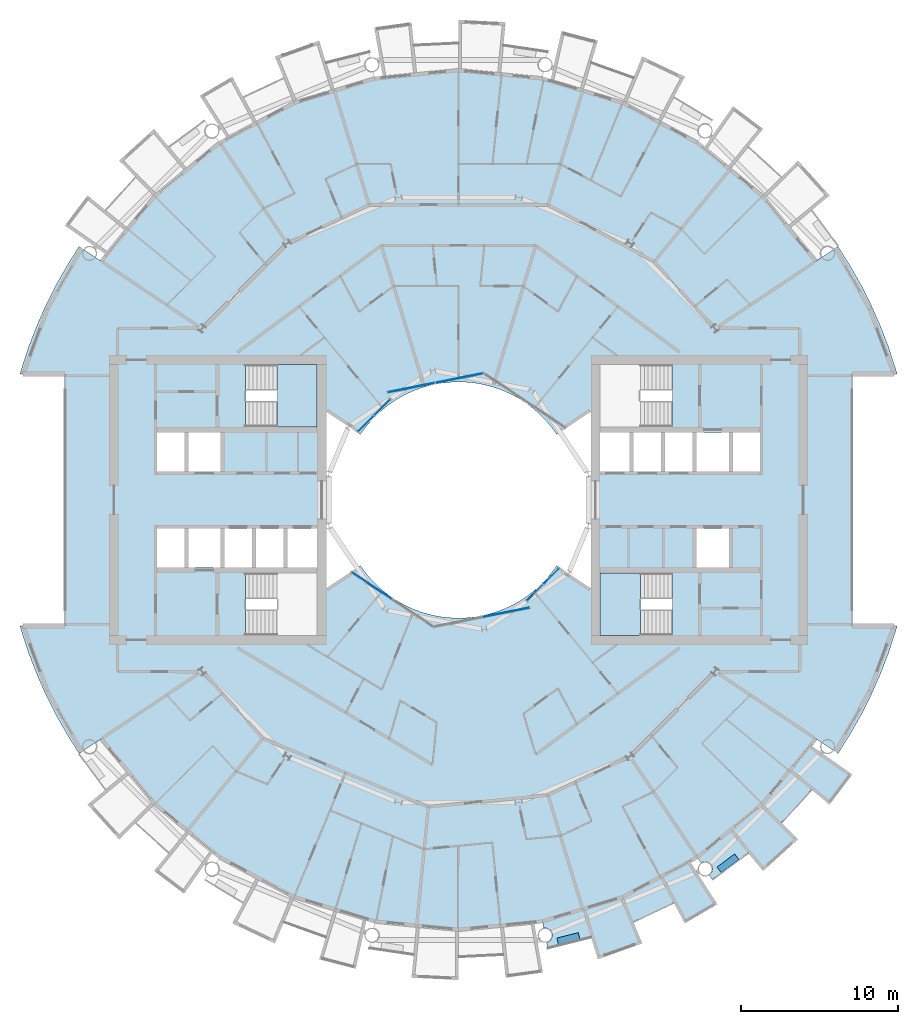
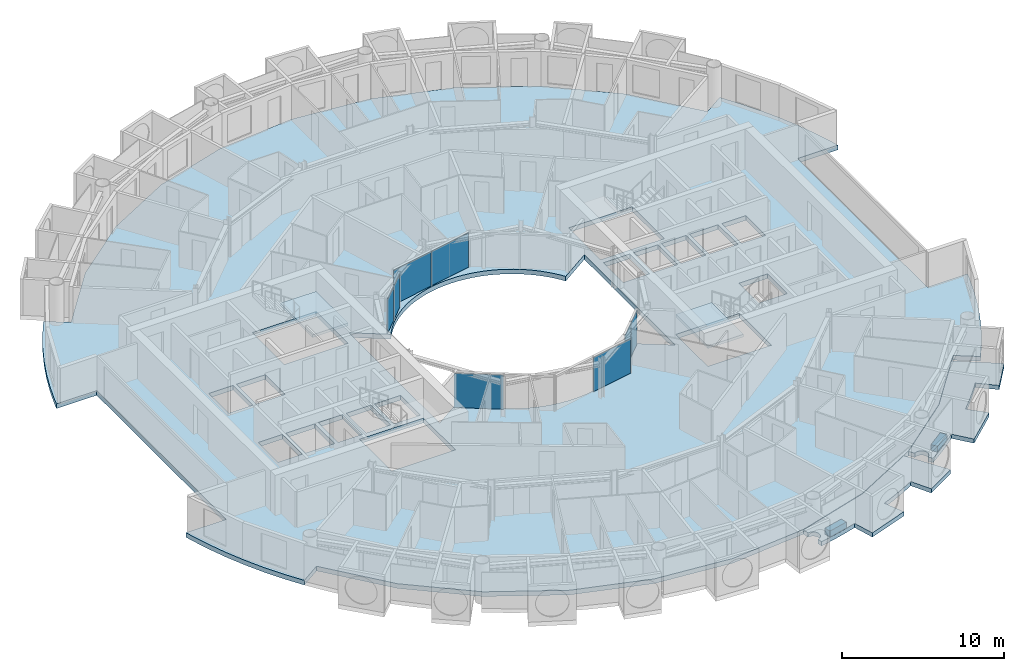
# One storey, part 11 of 27: 8 plates, 7 slabs, 7 elements without a shape of their own.
"""IFC4 building model written with IfcOpenShell, lengths in metres."""

from ifc_helpers import new_model, si_unit, direction, frame, origin, origin_2d, place, context, subcontext, project, spatial, polyline, rectangle, outline, extrude, material, layer, layer_set, type_object, element, aggregate, save


model = new_model("IFC4")

# Units and contexts
model_context = context("Model", 3, precision=1e-05, world=origin(), true_north=direction((0.0, 1.0)))
body_context = subcontext(model_context, "Body", "Model", "MODEL_VIEW")
ifc_project = project(units=[si_unit("LENGTHUNIT", "METRE"), si_unit("AREAUNIT", "SQUARE_METRE"), si_unit("VOLUMEUNIT", "CUBIC_METRE"), si_unit("PLANEANGLEUNIT", "RADIAN"), si_unit("MASSUNIT", "GRAM", prefix="KILO")], contexts=[model_context])

# Site, building, storey
site_placement = place(None, origin())
site = spatial("IfcSite", under=ifc_project, at=site_placement, CompositionType="ELEMENT")
building_placement = place(site_placement, origin())
building = spatial("IfcBuilding", under=site, at=building_placement, Name="Maasbend Ring Residences", CompositionType="ELEMENT")
storey_placement = place(building_placement, frame((0.0, 0.0, 120.800048828125)))
storey = spatial("IfcBuildingStorey", under=building, at=storey_placement, Name="L34", CompositionType="ELEMENT", Elevation=120.800048828125)

# Stair, slab
ifc_material_1 = material(Name="Concrete C40/50", Category="concrete")
stair_type = type_object("IfcStairType", Name="CORE STAIR 18 RISERS", PredefinedType="HALF_TURN_STAIR", material=ifc_material_1)
stair_1_placement = place(storey_placement, origin())
stair_1 = element("IfcStair", 1, at=stair_1_placement, inside=storey, type_object=stair_type, Name="L34 Exit stair ST-E2", PredefinedType="HALF_TURN_STAIR")
ifc_material_2 = material(Name="Concrete C40/50", Category="concrete")
ifc_layer_1 = layer(ifc_material_2, 0.199951171875)
ifc_layer_set_1 = layer_set([ifc_layer_1], Name="Concrete C40/50")
slab_type_1 = type_object("IfcSlabType", Name="CORE STAIR LANDING 200", PredefinedType="LANDING", material=ifc_layer_set_1)
slab_1_placement = place(storey_placement, frame((0.0, 0.0, 1.324951171875)))
slab_1 = element("IfcSlab", 2, at=slab_1_placement, type_object=slab_type_1, Name="ST-E2 landing 1", PredefinedType="LANDING", context=body_context, shape_type="SweptSolid", body=[
    extrude(outline(polyline([(11.550048828125, -4.64990234375), (9.0, -4.64990234375), (9.0, -8.60009765625), (11.550048828125, -8.60009765625), (11.550048828125, -4.64990234375)])), origin(), (0.0, 0.0, 1.0), 0.199951171875),
])
aggregate(stair_1, [slab_1])

stair_2_placement = place(storey_placement, origin())
stair_2 = element("IfcStair", 3, at=stair_2_placement, inside=storey, type_object=stair_type, Name="L34 Exit stair ST-W2", PredefinedType="HALF_TURN_STAIR")
slab_2_placement = place(storey_placement, frame((0.0, 0.0, 1.324951171875)))
slab_2 = element("IfcSlab", 4, at=slab_2_placement, type_object=slab_type_1, Name="ST-W2 landing 1", PredefinedType="LANDING", context=body_context, shape_type="SweptSolid", body=[
    extrude(outline(polyline([(-11.550048828125, 4.64990234375), (-9.0, 4.64990234375), (-9.0, 8.60009765625), (-11.550048828125, 8.60009765625), (-11.550048828125, 4.64990234375)])), origin(), (0.0, 0.0, 1.0), 0.199951171875),
])
aggregate(stair_2, [slab_2])

# Curtain wall, plates
ifc_material_3 = material(Name="Aluminium and clear glass", Category="aluminium")
ifc_layer_2 = layer(ifc_material_3, 0.179931640625)
ifc_layer_set_2 = layer_set([ifc_layer_2], Name="CW-W")
curtain_wall_type = type_object("IfcCurtainWallType", Name="CW-W", PredefinedType="NOTDEFINED", material=ifc_layer_set_2)
curtain_wall_1_placement = place(storey_placement, origin())
curtain_wall_1 = element("IfcCurtainWall", 5, at=curtain_wall_1_placement, inside=storey, type_object=curtain_wall_type, Name="Well curtain wall N2", PredefinedType="NOTDEFINED")
ifc_material_4 = material(Name="Glass clear laminated", Category="glass")
ifc_layer_3 = layer(ifc_material_4, 0.031982421875)
ifc_layer_set_3 = layer_set([ifc_layer_3], Name="CWP-W")
plate_type = type_object("IfcPlateType", Name="CWP-W", PredefinedType="CURTAIN_PANEL", material=ifc_layer_set_3)
plate_1_placement = place(storey_placement, frame((0.04638671875, 7.747802734375, 0.0), z_axis=(0.0, 0.0, 1.0), x_axis=(-0.980785280403, -0.195090322016, 0.0)))
plate_1 = element("IfcPlate", 6, at=plate_1_placement, type_object=plate_type, Name="Glass panel well face", PredefinedType="CURTAIN_PANEL", context=body_context, shape_type="SweptSolid", body=[
    extrude(rectangle(XDim=3.053955078125, YDim=0.031982421875, at=origin_2d()), origin(), (0.0, 0.0, 1.0), 2.580078125),
])
plate_2_placement = place(storey_placement, frame((-3.0078125, 7.140380859375, 0.0), z_axis=(0.0, 0.0, 1.0), x_axis=(-0.980785280403, -0.195090322016, 0.0)))
plate_2 = element("IfcPlate", 7, at=plate_2_placement, type_object=plate_type, Name="Glass panel well face", PredefinedType="CURTAIN_PANEL", context=body_context, shape_type="SweptSolid", body=[
    extrude(rectangle(XDim=3.053955078125, YDim=0.031982421875, at=origin_2d()), origin(), (0.0, 0.0, 1.0), 2.580078125),
])
aggregate(curtain_wall_1, [plate_1, plate_2])

curtain_wall_2_placement = place(storey_placement, origin())
curtain_wall_2 = element("IfcCurtainWall", 8, at=curtain_wall_2_placement, inside=storey, type_object=curtain_wall_type, Name="Well curtain wall N3", PredefinedType="NOTDEFINED")
plate_3_placement = place(storey_placement, frame((-4.84375, 5.89013671875, 0.0), z_axis=(0.0, 0.0, 1.0), x_axis=(-0.707106781187, -0.707106781187, 0.0)))
plate_3 = element("IfcPlate", 9, at=plate_3_placement, type_object=plate_type, Name="Glass panel well face", PredefinedType="CURTAIN_PANEL", context=body_context, shape_type="SweptSolid", body=[
    extrude(rectangle(XDim=1.419677734375, YDim=0.031982421875, at=origin_2d()), origin(), (0.0, 0.0, 1.0), 2.580078125),
])
plate_4_placement = place(storey_placement, frame((-5.89013671875, 4.84375, 0.0), z_axis=(0.0, 0.0, 1.0), x_axis=(-0.707106781187, -0.707106781187, 0.0)))
plate_4 = element("IfcPlate", 10, at=plate_4_placement, type_object=plate_type, Name="Glass panel well face", PredefinedType="CURTAIN_PANEL", context=body_context, shape_type="SweptSolid", body=[
    extrude(rectangle(XDim=1.419677734375, YDim=0.031982421875, at=origin_2d()), origin(), (0.0, 0.0, 1.0), 2.580078125),
])
aggregate(curtain_wall_2, [plate_3, plate_4])

# Curtain wall, plate
curtain_wall_3_placement = place(storey_placement, origin())
curtain_wall_3 = element("IfcCurtainWall", 11, at=curtain_wall_3_placement, inside=storey, type_object=curtain_wall_type, Name="Well curtain wall S1", PredefinedType="NOTDEFINED")
plate_5_placement = place(storey_placement, frame((-5.51123046875, -5.44580078125, 0.0), z_axis=(0.0, 0.0, 1.0), x_axis=(0.831469612303, -0.55557023302, 0.0)))
plate_5 = element("IfcPlate", 12, at=plate_5_placement, type_object=plate_type, Name="Glass panel well face", PredefinedType="CURTAIN_PANEL", context=body_context, shape_type="SweptSolid", body=[
    extrude(rectangle(XDim=3.053955078125, YDim=0.031982421875, at=origin_2d()), origin(), (0.0, 0.0, 1.0), 2.580078125),
])
aggregate(curtain_wall_3, [plate_5])

curtain_wall_4_placement = place(storey_placement, origin())
curtain_wall_4 = element("IfcCurtainWall", 13, at=curtain_wall_4_placement, inside=storey, type_object=curtain_wall_type, Name="Well curtain wall S2", PredefinedType="NOTDEFINED")
plate_6_placement = place(storey_placement, frame((3.0078125, -7.140380859375, 0.0), z_axis=(0.0, 0.0, 1.0), x_axis=(0.980785280403, 0.195090322016, 0.0)))
plate_6 = element("IfcPlate", 14, at=plate_6_placement, type_object=plate_type, Name="Glass panel well face", PredefinedType="CURTAIN_PANEL", context=body_context, shape_type="SweptSolid", body=[
    extrude(rectangle(XDim=3.053955078125, YDim=0.031982421875, at=origin_2d()), origin(), (0.0, 0.0, 1.0), 2.580078125),
])
aggregate(curtain_wall_4, [plate_6])

# Curtain wall, plates
curtain_wall_5_placement = place(storey_placement, origin())
curtain_wall_5 = element("IfcCurtainWall", 15, at=curtain_wall_5_placement, inside=storey, type_object=curtain_wall_type, Name="Well curtain wall S3", PredefinedType="NOTDEFINED")
plate_7_placement = place(storey_placement, frame((4.84375, -5.89013671875, 0.0), z_axis=(0.0, 0.0, 1.0), x_axis=(0.707106781187, 0.707106781187, 0.0)))
plate_7 = element("IfcPlate", 16, at=plate_7_placement, type_object=plate_type, Name="Glass panel well face", PredefinedType="CURTAIN_PANEL", context=body_context, shape_type="SweptSolid", body=[
    extrude(rectangle(XDim=1.419677734375, YDim=0.031982421875, at=origin_2d()), origin(), (0.0, 0.0, 1.0), 2.580078125),
])
plate_8_placement = place(storey_placement, frame((5.89013671875, -4.84375, 0.0), z_axis=(0.0, 0.0, 1.0), x_axis=(0.707106781187, 0.707106781187, 0.0)))
plate_8 = element("IfcPlate", 17, at=plate_8_placement, type_object=plate_type, Name="Glass panel well face", PredefinedType="CURTAIN_PANEL", context=body_context, shape_type="SweptSolid", body=[
    extrude(rectangle(XDim=1.419677734375, YDim=0.031982421875, at=origin_2d()), origin(), (0.0, 0.0, 1.0), 2.580078125),
])
aggregate(curtain_wall_5, [plate_7, plate_8])

# Slabs
ifc_material_5 = material(Name="Planting with climbing greenery")
ifc_layer_4 = layer(ifc_material_5, 0.449951171875)
ifc_layer_set_4 = layer_set([ifc_layer_4], Name="PLANTER-LG")
slab_type_2 = type_object("IfcSlabType", Name="PLANTER-LG", PredefinedType="USERDEFINED", material=ifc_layer_set_4)
slab_3_placement = place(storey_placement, frame((0.0, 0.0, -0.030029296875)))
element("IfcSlab", 18, at=slab_3_placement, inside=storey, type_object=slab_type_2, Name="Planter with climbing greenery 4", ObjectType="PLANTER", PredefinedType="USERDEFINED", context=body_context, shape_type="SweptSolid", body=[
    extrude(outline(polyline([(6.35888671875, -28.26708984375), (7.717041015625, -27.927001953125), (7.60791015625, -27.489990234375), (6.25, -27.8310546875), (6.35888671875, -28.26708984375)])), origin(), (0.0, 0.0, 1.0), 0.449951171875),
])
slab_4_placement = place(storey_placement, frame((0.0, 0.0, -0.030029296875)))
element("IfcSlab", 19, at=slab_4_placement, inside=storey, type_object=slab_type_2, Name="Planter with climbing greenery 5", ObjectType="PLANTER", PredefinedType="USERDEFINED", context=body_context, shape_type="SweptSolid", body=[
    extrude(outline(polyline([(16.69189453125, -23.681884765625), (17.81689453125, -22.847900390625), (17.549072265625, -22.487060546875), (16.424072265625, -23.321044921875), (16.69189453125, -23.681884765625)])), origin(), (0.0, 0.0, 1.0), 0.449951171875),
])
ifc_material_6 = material(Name="Concrete C40/50", Category="concrete")
ifc_layer_5 = layer(ifc_material_6, 0.35009765625)
ifc_layer_set_5 = layer_set([ifc_layer_5], Name="Concrete C40/50")
slab_type_3 = type_object("IfcSlabType", Name="Post-tensioned flat plate 350", PredefinedType="FLOOR", material=ifc_layer_set_5)
slab_5_placement = place(storey_placement, frame((0.0, 0.0, -0.35009765625)))
element("IfcSlab", 20, at=slab_5_placement, inside=storey, type_object=slab_type_3, Name="Floor slab L34", PredefinedType="FLOOR", context=body_context, shape_type="SweptSolid", body=[
    extrude(outline(polyline([(24.8740234375, -14.908935546875), (25.57568359375, -13.67041015625), (26.2158203125, -12.399169921875), (26.79248046875, -11.097900390625), (27.3046875, -9.769775390625), (27.751220703125, -8.418212890625), (27.866943359375, -8.0), (25.0, -8.0), (25.0, 8.0), (27.866943359375, 8.0), (27.751220703125, 8.418212890625), (27.3046875, 9.769775390625), (26.79248046875, 11.097900390625), (26.2158203125, 12.399169921875), (25.57568359375, 13.67041015625), (24.8740234375, 14.908935546875), (24.112548828125, 16.111572265625), (22.69921875, 15.1669921875), (19.303955078125, 19.303955078125), (15.1669921875, 22.69921875), (10.447265625, 25.221923828125), (5.325927734375, 26.775390625), (0.0, 27.300048828125), (-5.325927734375, 26.775390625), (-10.447265625, 25.221923828125), (-15.1669921875, 22.69921875), (-19.303955078125, 19.303955078125), (-22.69921875, 15.1669921875), (-24.112548828125, 16.111572265625), (-24.8740234375, 14.908935546875), (-25.57568359375, 13.67041015625), (-26.2158203125, 12.399169921875), (-26.79248046875, 11.097900390625), (-27.3046875, 9.769775390625), (-27.751220703125, 8.418212890625), (-27.866943359375, 8.0), (-25.0, 8.0), (-25.0, -8.0), (-27.866943359375, -8.0), (-27.751220703125, -8.418212890625), (-27.3046875, -9.769775390625), (-26.79248046875, -11.097900390625), (-26.2158203125, -12.399169921875), (-25.57568359375, -13.67041015625), (-24.8740234375, -14.908935546875), (-24.112548828125, -16.111572265625), (-22.69921875, -15.1669921875), (-19.303955078125, -19.303955078125), (-15.1669921875, -22.69921875), (-10.447265625, -25.221923828125), (-5.325927734375, -26.775390625), (0.0, -27.300048828125), (5.325927734375, -26.775390625), (10.447265625, -25.221923828125), (15.1669921875, -22.69921875), (19.303955078125, -19.303955078125), (22.69921875, -15.1669921875), (24.112548828125, -16.111572265625), (24.8740234375, -14.908935546875)]), holes=[polyline([(17.425048828125, 4.27490234375), (19.14990234375, 4.27490234375), (19.14990234375, 1.824951171875), (17.425048828125, 1.824951171875), (17.425048828125, 4.27490234375)]), polyline([(15.125, 1.824951171875), (15.125, 4.27490234375), (17.175048828125, 4.27490234375), (17.175048828125, 1.824951171875), (15.125, 1.824951171875)]), polyline([(15.125, -4.27490234375), (15.125, -1.824951171875), (17.175048828125, -1.824951171875), (17.175048828125, -4.27490234375), (15.125, -4.27490234375)]), polyline([(13.125, 1.824951171875), (13.125, 4.27490234375), (14.875, 4.27490234375), (14.875, 1.824951171875), (13.125, 1.824951171875)]), polyline([(13.550048828125, 4.64990234375), (9.0, 4.64990234375), (9.0, 8.60009765625), (13.550048828125, 8.60009765625), (13.550048828125, 4.64990234375)]), polyline([(13.550048828125, -4.64990234375), (13.550048828125, -8.60009765625), (9.0, -8.60009765625), (9.0, -4.64990234375), (13.550048828125, -4.64990234375)]), polyline([(11.125, 1.824951171875), (11.125, 4.27490234375), (12.875, 4.27490234375), (12.875, 1.824951171875), (11.125, 1.824951171875)]), polyline([(9.0, 1.824951171875), (9.0, 4.27490234375), (10.875, 4.27490234375), (10.875, 1.824951171875), (9.0, 1.824951171875)]), polyline([(6.024169921875, 4.4677734375), (6.236083984375, 4.166748046875), (8.39990234375, 5.61279296875), (8.39990234375, -5.61279296875), (6.236083984375, -4.166748046875), (6.024169921875, -4.4677734375), (5.797607421875, -4.7578125), (5.55712890625, -5.03662109375), (5.30322265625, -5.30322265625), (5.03662109375, -5.55712890625), (4.7578125, -5.797607421875), (4.4677734375, -6.024169921875), (4.166748046875, -6.236083984375), (3.855712890625, -6.43310546875), (3.535400390625, -6.614501953125), (3.206787109375, -6.77978515625), (2.8701171875, -6.92919921875), (2.526611328125, -7.0615234375), (2.177001953125, -7.177001953125), (1.822509765625, -7.275146484375), (1.463134765625, -7.35595703125), (1.1005859375, -7.418701171875), (0.735107421875, -7.4638671875), (0.367919921875, -7.490966796875), (0.0, -7.5), (-0.367919921875, -7.490966796875), (-0.735107421875, -7.4638671875), (-1.1005859375, -7.418701171875), (-1.463134765625, -7.35595703125), (-1.822509765625, -7.275146484375), (-2.177001953125, -7.177001953125), (-2.526611328125, -7.0615234375), (-2.8701171875, -6.92919921875), (-3.206787109375, -6.77978515625), (-3.535400390625, -6.614501953125), (-3.855712890625, -6.43310546875), (-4.166748046875, -6.236083984375), (-4.4677734375, -6.024169921875), (-4.7578125, -5.797607421875), (-5.03662109375, -5.55712890625), (-5.30322265625, -5.30322265625), (-5.55712890625, -5.03662109375), (-5.797607421875, -4.7578125), (-6.024169921875, -4.4677734375), (-6.236083984375, -4.166748046875), (-8.39990234375, -5.61279296875), (-8.39990234375, 5.61279296875), (-6.236083984375, 4.166748046875), (-6.236083984375, 4.166748046875), (-6.024169921875, 4.4677734375), (-5.797607421875, 4.7578125), (-5.55712890625, 5.03662109375), (-5.30322265625, 5.30322265625), (-5.03662109375, 5.55712890625), (-4.7578125, 5.797607421875), (-4.4677734375, 6.024169921875), (-4.166748046875, 6.236083984375), (-3.855712890625, 6.43310546875), (-3.535400390625, 6.614501953125), (-3.206787109375, 6.77978515625), (-2.8701171875, 6.92919921875), (-2.526611328125, 7.0615234375), (-2.177001953125, 7.177001953125), (-1.822509765625, 7.275146484375), (-1.463134765625, 7.35595703125), (-1.1005859375, 7.418701171875), (-0.735107421875, 7.4638671875), (-0.367919921875, 7.490966796875), (0.0, 7.5), (0.367919921875, 7.490966796875), (0.735107421875, 7.4638671875), (1.1005859375, 7.418701171875), (1.463134765625, 7.35595703125), (1.822509765625, 7.275146484375), (2.177001953125, 7.177001953125), (2.526611328125, 7.0615234375), (2.8701171875, 6.92919921875), (3.206787109375, 6.77978515625), (3.535400390625, 6.614501953125), (3.855712890625, 6.43310546875), (4.166748046875, 6.236083984375), (4.4677734375, 6.024169921875), (4.7578125, 5.797607421875), (5.03662109375, 5.55712890625), (5.30322265625, 5.30322265625), (5.55712890625, 5.03662109375), (5.797607421875, 4.7578125), (6.024169921875, 4.4677734375)]), polyline([(-13.550048828125, 4.64990234375), (-13.550048828125, 8.60009765625), (-9.0, 8.60009765625), (-9.0, 4.64990234375), (-13.550048828125, 4.64990234375)]), polyline([(-13.550048828125, -8.60009765625), (-13.550048828125, -4.64990234375), (-9.0, -4.64990234375), (-9.0, -8.60009765625), (-13.550048828125, -8.60009765625)]), polyline([(-9.0, -1.824951171875), (-9.0, -4.27490234375), (-10.875, -4.27490234375), (-10.875, -1.824951171875), (-9.0, -1.824951171875)]), polyline([(-11.125, -1.824951171875), (-11.125, -4.27490234375), (-12.875, -4.27490234375), (-12.875, -1.824951171875), (-11.125, -1.824951171875)]), polyline([(-13.125, -1.824951171875), (-13.125, -4.27490234375), (-14.875, -4.27490234375), (-14.875, -1.824951171875), (-13.125, -1.824951171875)]), polyline([(-15.125, 4.27490234375), (-15.125, 1.824951171875), (-17.175048828125, 1.824951171875), (-17.175048828125, 4.27490234375), (-15.125, 4.27490234375)]), polyline([(-15.125, -1.824951171875), (-15.125, -4.27490234375), (-17.175048828125, -4.27490234375), (-17.175048828125, -1.824951171875), (-15.125, -1.824951171875)]), polyline([(-17.425048828125, -1.824951171875), (-17.425048828125, -4.27490234375), (-19.14990234375, -4.27490234375), (-19.14990234375, -1.824951171875), (-17.425048828125, -1.824951171875)]), polyline([(-17.425048828125, 4.27490234375), (-17.425048828125, 1.824951171875), (-19.14990234375, 1.824951171875), (-19.14990234375, 4.27490234375), (-17.425048828125, 4.27490234375)])]), origin(), (0.0, 0.0, 1.0), 0.35009765625),
])
ifc_material_7 = material(Name="Concrete C40/50", Category="concrete")
ifc_layer_6 = layer(ifc_material_7, 0.199951171875)
ifc_layer_set_6 = layer_set([ifc_layer_6], Name="Concrete C40/50")
slab_type_4 = type_object("IfcSlabType", Name="SL-LOGGIA", PredefinedType="FLOOR", material=ifc_layer_set_6)
slab_6_placement = place(storey_placement, frame((0.0, 0.0, -0.35009765625)))
element("IfcSlab", 21, at=slab_6_placement, inside=storey, type_object=slab_type_4, Name="Loggia floor 2", PredefinedType="FLOOR", context=body_context, shape_type="SweptSolid", body=[
    extrude(outline(polyline([(10.447021484375, -25.221923828125), (12.806884765625, -23.9609375), (14.68994140625, -22.9541015625), (14.68994140625, -22.9541015625), (14.68994140625, -22.9541015625), (16.44091796875, -25.68994140625), (16.44091796875, -25.68994140625), (16.44091796875, -25.68994140625), (14.3779296875, -26.89892578125), (14.3779296875, -26.89892578125), (14.3779296875, -26.89892578125), (13.6708984375, -25.575927734375), (13.6708984375, -25.575927734375), (13.6708984375, -25.575927734375), (13.6708984375, -25.575927734375), (13.6708984375, -25.575927734375), (13.6708984375, -25.575927734375), (13.6708984375, -25.575927734375), (13.669921875, -25.575927734375), (13.669921875, -25.575927734375), (13.669921875, -25.575927734375), (13.669921875, -25.575927734375), (13.669921875, -25.575927734375), (13.669921875, -25.575927734375), (13.669921875, -25.575927734375), (13.669921875, -25.575927734375), (13.669921875, -25.575927734375), (13.669921875, -25.575927734375), (12.825927734375, -26.009033203125), (12.825927734375, -26.009033203125), (11.968994140625, -26.4150390625), (11.968994140625, -26.4150390625), (11.097900390625, -26.7919921875), (11.097900390625, -26.7919921875), (11.097900390625, -26.7919921875), (11.097900390625, -26.7919921875), (11.097900390625, -26.7919921875), (11.097900390625, -26.7919921875), (11.097900390625, -26.7919921875), (11.097900390625, -26.79296875), (11.097900390625, -26.79296875), (11.097900390625, -26.79296875), (11.097900390625, -26.79296875), (11.097900390625, -26.79296875), (11.097900390625, -26.79296875), (11.097900390625, -26.79296875), (11.097900390625, -26.79296875), (11.097900390625, -26.79296875), (11.097900390625, -26.79296875), (11.672119140625, -28.177978515625), (11.672119140625, -28.177978515625), (11.672119140625, -28.177978515625), (8.85400390625, -29.18701171875), (8.85400390625, -29.18701171875), (8.85400390625, -29.18701171875), (8.41796875, -27.751953125), (8.41796875, -27.751953125), (8.41796875, -27.751953125), (8.41796875, -27.751953125), (8.41796875, -27.751953125), (8.41796875, -27.751953125), (8.41796875, -27.751953125), (8.41796875, -27.7509765625), (8.41796875, -27.7509765625), (8.41796875, -27.7509765625), (8.41796875, -27.7509765625), (8.41796875, -27.7509765625), (8.41796875, -27.7509765625), (8.41796875, -27.7509765625), (8.41796875, -27.7509765625), (8.41796875, -27.7509765625), (8.41796875, -27.7509765625), (7.506103515625, -28.011962890625), (7.506103515625, -28.011962890625), (6.5849609375, -28.241943359375), (6.5849609375, -28.241943359375), (5.657958984375, -28.443115234375), (5.657958984375, -28.443115234375), (5.657958984375, -28.443115234375), (5.591064453125, -28.10595703125), (5.60205078125, -28.10400390625), (5.613037109375, -28.10107421875), (5.623046875, -28.09912109375), (5.634033203125, -28.094970703125), (5.64501953125, -28.092041015625), (5.655029296875, -28.087890625), (5.666015625, -28.083984375), (5.676025390625, -28.080078125), (5.68701171875, -28.075927734375), (5.697021484375, -28.071044921875), (5.70703125, -28.06591796875), (5.717041015625, -28.06103515625), (5.72705078125, -28.055908203125), (5.736083984375, -28.050048828125), (5.74609375, -28.0439453125), (5.7548828125, -28.0380859375), (5.764892578125, -28.031982421875), (5.77392578125, -28.02490234375), (5.782958984375, -28.01806640625), (5.791015625, -28.010986328125), (5.800048828125, -28.00390625), (5.80810546875, -27.9970703125), (5.81689453125, -27.989013671875), (5.824951171875, -27.98095703125), (5.83203125, -27.972900390625), (5.840087890625, -27.965087890625), (5.847900390625, -27.95703125), (5.85498046875, -27.947998046875), (5.862060546875, -27.93896484375), (5.868896484375, -27.929931640625), (5.875, -27.9208984375), (5.881103515625, -27.912109375), (5.887939453125, -27.903076171875), (5.89306640625, -27.89306640625), (5.89892578125, -27.883056640625), (5.905029296875, -27.8740234375), (5.909912109375, -27.864013671875), (5.9150390625, -27.85302734375), (5.9189453125, -27.843017578125), (5.924072265625, -27.8330078125), (5.927978515625, -27.822998046875), (5.931884765625, -27.81201171875), (5.93505859375, -27.801025390625), (5.93896484375, -27.791015625), (5.94189453125, -27.780029296875), (5.945068359375, -27.76904296875), (5.947021484375, -27.758056640625), (5.949951171875, -27.7470703125), (5.951904296875, -27.736083984375), (5.9541015625, -27.72509765625), (5.955078125, -27.714111328125), (5.9560546875, -27.702880859375), (5.95703125, -27.69189453125), (5.9580078125, -27.680908203125), (5.9580078125, -27.6689453125), (5.9580078125, -27.657958984375), (5.9580078125, -27.64697265625), (5.9580078125, -27.635986328125), (5.95703125, -27.6240234375), (5.9560546875, -27.613037109375), (5.955078125, -27.60205078125), (5.9541015625, -27.591064453125), (5.951904296875, -27.580078125), (5.949951171875, -27.569091796875), (5.947021484375, -27.55810546875), (5.945068359375, -27.547119140625), (5.94189453125, -27.535888671875), (5.93896484375, -27.52490234375), (5.93505859375, -27.514892578125), (5.931884765625, -27.50390625), (5.927978515625, -27.493896484375), (5.924072265625, -27.48291015625), (5.9189453125, -27.472900390625), (5.9150390625, -27.462890625), (5.909912109375, -27.452880859375), (5.905029296875, -27.443115234375), (5.89892578125, -27.43310546875), (5.89306640625, -27.423095703125), (5.887939453125, -27.4140625), (5.881103515625, -27.404052734375), (5.875, -27.39501953125), (5.868896484375, -27.385986328125), (5.862060546875, -27.376953125), (5.85498046875, -27.367919921875), (5.847900390625, -27.360107421875), (5.840087890625, -27.35107421875), (5.83203125, -27.343017578125), (5.824951171875, -27.3349609375), (5.81689453125, -27.326904296875), (5.80810546875, -27.319091796875), (5.800048828125, -27.31201171875), (5.791015625, -27.304931640625), (5.782958984375, -27.298095703125), (5.77392578125, -27.291015625), (5.764892578125, -27.283935546875), (5.7548828125, -27.278076171875), (5.74609375, -27.27197265625), (5.736083984375, -27.26611328125), (5.72705078125, -27.260009765625), (5.717041015625, -27.2548828125), (5.70703125, -27.25), (5.697021484375, -27.2451171875), (5.68701171875, -27.239990234375), (5.676025390625, -27.236083984375), (5.666015625, -27.23193359375), (5.655029296875, -27.22802734375), (5.64501953125, -27.22412109375), (5.634033203125, -27.220947265625), (5.623046875, -27.218017578125), (5.613037109375, -27.215087890625), (5.60205078125, -27.2119140625), (5.591064453125, -27.2099609375), (5.580078125, -27.2080078125), (5.569091796875, -27.2060546875), (5.556884765625, -27.205078125), (5.5458984375, -27.202880859375), (5.534912109375, -27.201904296875), (5.52392578125, -27.201904296875), (5.512939453125, -27.200927734375), (5.501953125, -27.200927734375), (5.489990234375, -27.200927734375), (5.47900390625, -27.201904296875), (5.468017578125, -27.201904296875), (5.45703125, -27.202880859375), (5.446044921875, -27.205078125), (5.43408203125, -27.2060546875), (5.423095703125, -27.2080078125), (5.412109375, -27.2099609375), (5.325927734375, -26.77490234375), (5.325927734375, -26.77490234375), (5.325927734375, -26.77490234375), (7.886962890625, -25.9990234375), (10.447021484375, -25.221923828125), (10.447021484375, -25.221923828125), (10.447021484375, -25.221923828125)])), origin(), (0.0, 0.0, 1.0), 0.320068359375),
])
slab_7_placement = place(storey_placement, frame((0.0, 0.0, -0.35009765625)))
element("IfcSlab", 22, at=slab_7_placement, inside=storey, type_object=slab_type_4, Name="Loggia floor 5", PredefinedType="FLOOR", context=body_context, shape_type="SweptSolid", body=[
    extrude(outline(polyline([(19.303955078125, -19.303955078125), (21.001953125, -17.236083984375), (22.35595703125, -15.5849609375), (22.35595703125, -15.5849609375), (22.35595703125, -15.5849609375), (25.02001953125, -17.44189453125), (25.02001953125, -17.44189453125), (25.02001953125, -17.44189453125), (23.576904296875, -19.34912109375), (23.576904296875, -19.34912109375), (23.576904296875, -19.34912109375), (22.41796875, -18.39794921875), (22.41796875, -18.39794921875), (22.41796875, -18.39794921875), (22.41796875, -18.39794921875), (22.41796875, -18.39794921875), (22.4169921875, -18.39794921875), (22.4169921875, -18.39794921875), (22.4169921875, -18.39794921875), (22.4169921875, -18.39794921875), (22.4169921875, -18.39794921875), (22.4169921875, -18.39794921875), (22.4169921875, -18.39794921875), (22.4169921875, -18.39794921875), (22.4169921875, -18.39794921875), (22.4169921875, -18.39794921875), (22.4169921875, -18.39794921875), (22.4169921875, -18.39794921875), (21.802978515625, -19.12109375), (21.802978515625, -19.12109375), (21.166015625, -19.823974609375), (21.166015625, -19.823974609375), (20.506103515625, -20.506103515625), (20.506103515625, -20.506103515625), (20.506103515625, -20.506103515625), (20.506103515625, -20.506103515625), (20.506103515625, -20.506103515625), (20.506103515625, -20.506103515625), (20.506103515625, -20.506103515625), (20.506103515625, -20.506103515625), (20.506103515625, -20.506103515625), (20.506103515625, -20.506103515625), (20.506103515625, -20.506103515625), (20.506103515625, -20.506103515625), (20.506103515625, -20.506103515625), (20.506103515625, -20.506103515625), (20.506103515625, -20.506103515625), (20.506103515625, -20.506103515625), (20.506103515625, -20.506103515625), (21.56689453125, -21.56689453125), (21.56689453125, -21.56689453125), (21.56689453125, -21.56689453125), (19.34912109375, -23.576904296875), (19.34912109375, -23.576904296875), (19.34912109375, -23.576904296875), (18.39794921875, -22.41796875), (18.39794921875, -22.41796875), (18.39794921875, -22.41796875), (18.39794921875, -22.41796875), (18.39794921875, -22.41796875), (18.39794921875, -22.41796875), (18.39697265625, -22.41796875), (18.39697265625, -22.41796875), (18.39697265625, -22.41796875), (18.39697265625, -22.41796875), (18.39697265625, -22.41796875), (18.39697265625, -22.41796875), (18.39697265625, -22.41796875), (18.39697265625, -22.41796875), (18.39697265625, -22.41796875), (18.39697265625, -22.41796875), (18.39697265625, -22.41796875), (17.654052734375, -23.007080078125), (17.654052734375, -23.007080078125), (16.89208984375, -23.572998046875), (16.89208984375, -23.572998046875), (16.112060546875, -24.113037109375), (16.112060546875, -24.113037109375), (16.112060546875, -24.113037109375), (15.9208984375, -23.826904296875), (15.9208984375, -23.826904296875), (15.929931640625, -23.821044921875), (15.93896484375, -23.81396484375), (15.947998046875, -23.80810546875), (15.95703125, -23.801025390625), (15.966064453125, -23.79296875), (15.97412109375, -23.785888671875), (15.98193359375, -23.778076171875), (15.989990234375, -23.77099609375), (15.998046875, -23.762939453125), (16.006103515625, -23.75390625), (16.012939453125, -23.74609375), (16.02001953125, -23.737060546875), (16.027099609375, -23.72900390625), (16.033935546875, -23.719970703125), (16.041015625, -23.7109375), (16.047119140625, -23.700927734375), (16.052978515625, -23.69189453125), (16.05908203125, -23.681884765625), (16.06494140625, -23.673095703125), (16.070068359375, -23.6630859375), (16.074951171875, -23.653076171875), (16.080078125, -23.64306640625), (16.0849609375, -23.633056640625), (16.089111328125, -23.6220703125), (16.093017578125, -23.612060546875), (16.096923828125, -23.60107421875), (16.10107421875, -23.591064453125), (16.10400390625, -23.580078125), (16.10791015625, -23.569091796875), (16.110107421875, -23.55810546875), (16.113037109375, -23.548095703125), (16.114990234375, -23.537109375), (16.116943359375, -23.52587890625), (16.118896484375, -23.513916015625), (16.12109375, -23.5029296875), (16.1220703125, -23.491943359375), (16.123046875, -23.48095703125), (16.1240234375, -23.469970703125), (16.1240234375, -23.458984375), (16.1240234375, -23.447021484375), (16.1240234375, -23.43603515625), (16.1240234375, -23.425048828125), (16.123046875, -23.4140625), (16.1220703125, -23.403076171875), (16.12109375, -23.39111328125), (16.118896484375, -23.3798828125), (16.116943359375, -23.368896484375), (16.114990234375, -23.35791015625), (16.113037109375, -23.346923828125), (16.110107421875, -23.3359375), (16.10791015625, -23.325927734375), (16.10400390625, -23.31494140625), (16.10107421875, -23.303955078125), (16.096923828125, -23.29296875), (16.093017578125, -23.282958984375), (16.089111328125, -23.27294921875), (16.0849609375, -23.261962890625), (16.080078125, -23.251953125), (16.074951171875, -23.241943359375), (16.070068359375, -23.23193359375), (16.06494140625, -23.221923828125), (16.05908203125, -23.2119140625), (16.052978515625, -23.202880859375), (16.047119140625, -23.194091796875), (16.041015625, -23.18408203125), (16.033935546875, -23.175048828125), (16.027099609375, -23.166015625), (16.02001953125, -23.156982421875), (16.012939453125, -23.14892578125), (16.006103515625, -23.139892578125), (15.998046875, -23.132080078125), (15.989990234375, -23.1240234375), (15.98193359375, -23.115966796875), (15.97412109375, -23.10888671875), (15.966064453125, -23.10107421875), (15.95703125, -23.093994140625), (15.947998046875, -23.0869140625), (15.93896484375, -23.080078125), (15.929931640625, -23.073974609375), (15.9208984375, -23.06689453125), (15.912109375, -23.06103515625), (15.902099609375, -23.054931640625), (15.89208984375, -23.050048828125), (15.883056640625, -23.0439453125), (15.873046875, -23.0390625), (15.862060546875, -23.033935546875), (15.85205078125, -23.030029296875), (15.842041015625, -23.02490234375), (15.83203125, -23.02099609375), (15.821044921875, -23.01708984375), (15.81005859375, -23.012939453125), (15.800048828125, -23.010009765625), (15.7890625, -23.007080078125), (15.778076171875, -23.00390625), (15.76708984375, -23.001953125), (15.756103515625, -22.9990234375), (15.7451171875, -22.9970703125), (15.73388671875, -22.9951171875), (15.722900390625, -22.993896484375), (15.7119140625, -22.992919921875), (15.700927734375, -22.991943359375), (15.68994140625, -22.990966796875), (15.677978515625, -22.990966796875), (15.6669921875, -22.989990234375), (15.656005859375, -22.990966796875), (15.64501953125, -22.990966796875), (15.633056640625, -22.991943359375), (15.6220703125, -22.992919921875), (15.611083984375, -22.993896484375), (15.60009765625, -22.9951171875), (15.589111328125, -22.9970703125), (15.577880859375, -22.9990234375), (15.56689453125, -23.001953125), (15.555908203125, -23.00390625), (15.544921875, -23.007080078125), (15.533935546875, -23.010009765625), (15.52392578125, -23.012939453125), (15.512939453125, -23.01708984375), (15.5029296875, -23.02099609375), (15.491943359375, -23.02490234375), (15.48193359375, -23.030029296875), (15.471923828125, -23.033935546875), (15.4619140625, -23.0390625), (15.451904296875, -23.0439453125), (15.44189453125, -23.050048828125), (15.431884765625, -23.054931640625), (15.423095703125, -23.06103515625), (15.4130859375, -23.06689453125), (15.4130859375, -23.06689453125), (15.1669921875, -22.698974609375), (15.1669921875, -22.698974609375), (15.1669921875, -22.698974609375), (17.236083984375, -21.001953125), (19.303955078125, -19.303955078125), (19.303955078125, -19.303955078125), (19.303955078125, -19.303955078125)])), origin(), (0.0, 0.0, 1.0), 0.320068359375),
])

save(model, "model.ifc")
